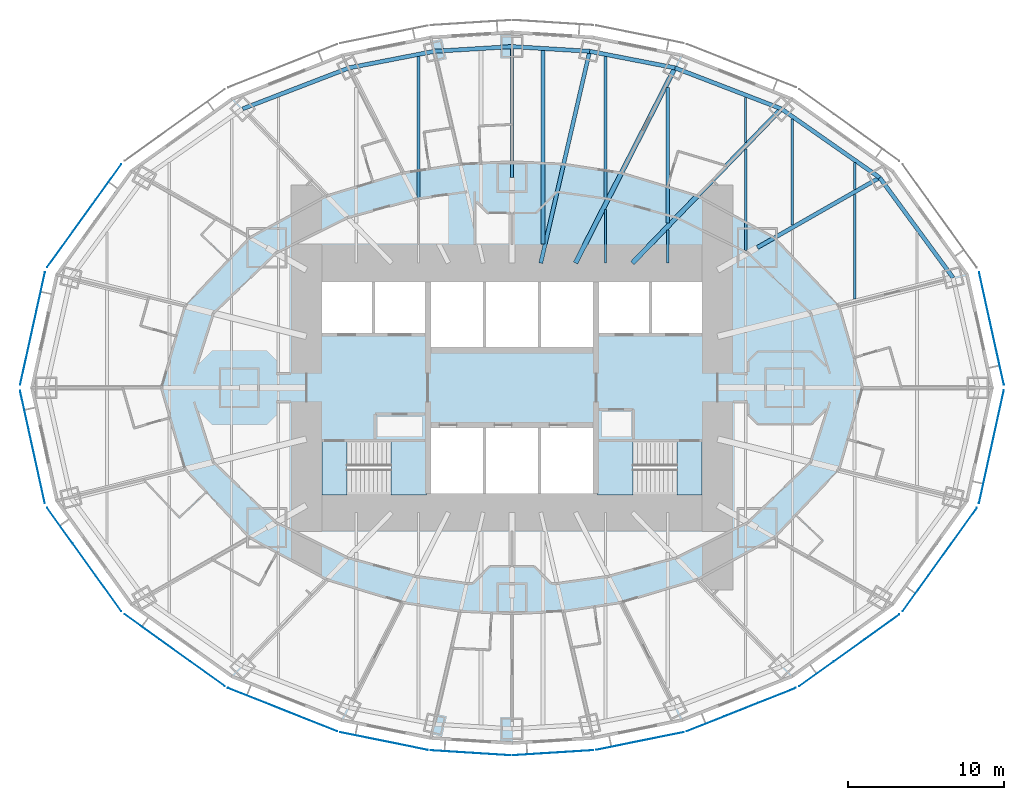
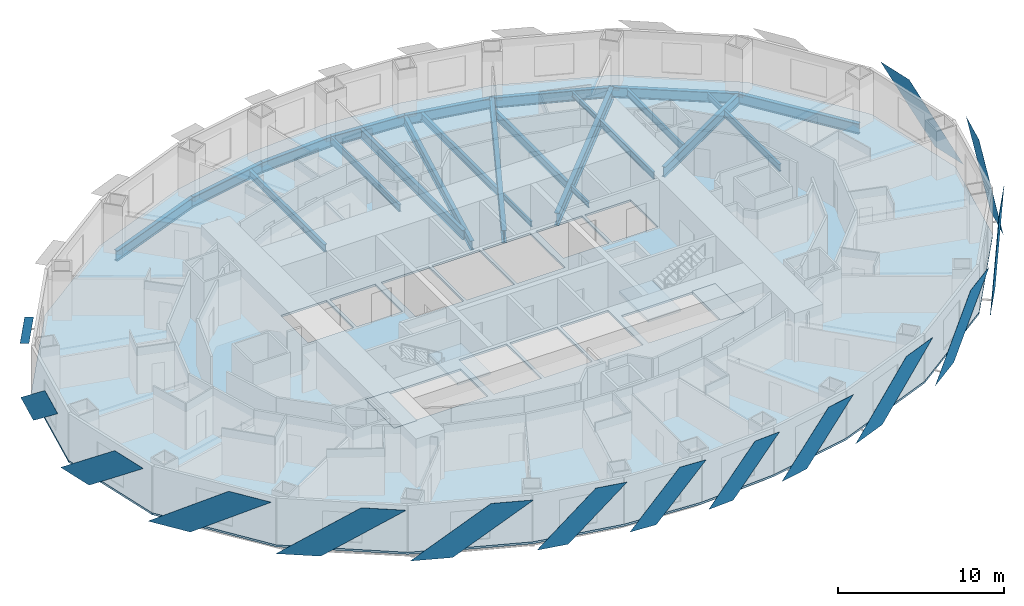
# One storey, part 3 of 15: 24 beams, 15 plates, 5 slabs, 2 elements without a shape of their own.
"""IFC4 building model written with IfcOpenShell, lengths in metres."""

from ifc_helpers import new_model, si_unit, direction, frame, origin, origin_2d, place, context, subcontext, project, spatial, polyline, i_section, outline, extrude, material, layer, layer_set, material_profile, profile_set, type_object, element, aggregate, save


model = new_model("IFC4")

# Units and contexts
model_context = context("Model", 3, precision=1e-05, world=origin(), true_north=direction((0.0, 1.0)))
body_context = subcontext(model_context, "Body", "Model", "MODEL_VIEW")
ifc_project = project(units=[si_unit("LENGTHUNIT", "METRE"), si_unit("AREAUNIT", "SQUARE_METRE"), si_unit("VOLUMEUNIT", "CUBIC_METRE"), si_unit("PLANEANGLEUNIT", "RADIAN"), si_unit("MASSUNIT", "GRAM", prefix="KILO")], contexts=[model_context])

# Site, building, storey
site_placement = place(None, origin())
site = spatial("IfcSite", under=ifc_project, at=site_placement, CompositionType="ELEMENT")
building_placement = place(site_placement, origin())
building = spatial("IfcBuilding", under=site, at=building_placement, Name="Lantaw Convention Tower", CompositionType="ELEMENT")
storey_placement = place(building_placement, frame((0.0, 0.0, 44.199951171875)))
storey = spatial("IfcBuildingStorey", under=building, at=storey_placement, Name="L08", CompositionType="ELEMENT", Elevation=44.199951171875)

# Beams
ifc_material_1 = material(Name="Steel ASTM A992", Category="steel")
ifc_material_profile_1 = material_profile(ifc_material_1, i_section(OverallWidth=0.2666015625, OverallDepth=0.76953125, WebThickness=0.015625, FlangeThickness=0.025390625, FilletRadius=0.0126953125, at=origin_2d()), Name="W30X132")
ifc_profile_set_1 = profile_set([ifc_material_profile_1], Name="Steel ASTM A992")
beam_type_1 = type_object("IfcBeamType", Name="Beam E W30X132", PredefinedType="SPANDREL", material=ifc_profile_set_1)
beam_1_placement = place(storey_placement, frame((28.31787109375, 7.060302734375, -0.53466796875), z_axis=(-0.591270709086, 0.806473154281, 0.0), x_axis=(-0.806473154281, -0.591270709086, 0.0)))
element("IfcBeam", 1, at=beam_1_placement, inside=storey, type_object=beam_type_1, Name="Edge beam 2", PredefinedType="SPANDREL", context=body_context, shape_type="SweptSolid", body=[
    extrude(i_section(OverallWidth=0.2666015625, OverallDepth=0.76953125, WebThickness=0.015625, FlangeThickness=0.025390625, FilletRadius=0.0126953125, at=origin_2d()), origin(), (0.0, 0.0, 1.0), 7.970703125),
])
beam_2_placement = place(storey_placement, frame((23.60498046875, 13.488525390625, -0.53466796875), z_axis=(-0.81942686407, 0.57318375277, 0.0), x_axis=(-0.57318375277, -0.81942686407, 0.0)))
element("IfcBeam", 2, at=beam_2_placement, inside=storey, type_object=beam_type_1, Name="Edge beam 3", PredefinedType="SPANDREL", context=body_context, shape_type="SweptSolid", body=[
    extrude(i_section(OverallWidth=0.2666015625, OverallDepth=0.76953125, WebThickness=0.015625, FlangeThickness=0.025390625, FilletRadius=0.0126953125, at=origin_2d()), origin(), (0.0, 0.0, 1.0), 7.70556640625),
])
beam_3_placement = place(storey_placement, frame((17.290771484375, 17.9052734375, -0.53466796875), z_axis=(-0.933232900641, 0.359271976588, 0.0), x_axis=(-0.359271976588, -0.933232900641, 0.0)))
element("IfcBeam", 3, at=beam_3_placement, inside=storey, type_object=beam_type_1, Name="Edge beam 4", PredefinedType="SPANDREL", context=body_context, shape_type="SweptSolid", body=[
    extrude(i_section(OverallWidth=0.2666015625, OverallDepth=0.76953125, WebThickness=0.015625, FlangeThickness=0.025390625, FilletRadius=0.0126953125, at=origin_2d()), origin(), (0.0, 0.0, 1.0), 7.316650390625),
])
beam_4_placement = place(storey_placement, frame((10.462646484375, 20.533935546875, -0.53466796875), z_axis=(-0.981636565323, 0.190760723474, 0.0), x_axis=(-0.190760723474, -0.981636565323, 0.0)))
element("IfcBeam", 4, at=beam_4_placement, inside=storey, type_object=beam_type_1, Name="Edge beam 5", PredefinedType="SPANDREL", context=body_context, shape_type="SweptSolid", body=[
    extrude(i_section(OverallWidth=0.2666015625, OverallDepth=0.76953125, WebThickness=0.015625, FlangeThickness=0.025390625, FilletRadius=0.0126953125, at=origin_2d()), origin(), (0.0, 0.0, 1.0), 5.578857421875),
])
for number, where, z_axis, x_axis, name in (
    (5, (4.986328125, 21.59814453125, -0.53466796875), (-0.998173858406, 0.060406526096, 0.0), (-0.060406526096, -0.998173858406, 0.0), "Edge beam 6"),
    (6, (0.0, 21.89990234375, -0.53466796875), (-0.998173858406, -0.060406526096, 0.0), (0.060406526096, -0.998173858406, 0.0), "Edge beam 7"),
):
    element("IfcBeam", number, at=place(storey_placement, frame(where, z_axis=z_axis, x_axis=x_axis)), inside=storey, type_object=beam_type_1, Name=name, PredefinedType="SPANDREL", context=body_context, shape_type="SweptSolid", body=[
        extrude(i_section(OverallWidth=0.2666015625, OverallDepth=0.76953125, WebThickness=0.015625, FlangeThickness=0.025390625, FilletRadius=0.0126953125, at=origin_2d()), origin(), (0.0, 0.0, 1.0), 4.995361328125),
    ])
beam_5_placement = place(storey_placement, frame((-4.986328125, 21.59814453125, -0.53466796875), z_axis=(-0.981636565323, -0.190760723474, 0.0), x_axis=(0.190760723474, -0.981636565323, 0.0)))
element("IfcBeam", 7, at=beam_5_placement, inside=storey, type_object=beam_type_1, Name="Edge beam 8", PredefinedType="SPANDREL", context=body_context, shape_type="SweptSolid", body=[
    extrude(i_section(OverallWidth=0.2666015625, OverallDepth=0.76953125, WebThickness=0.015625, FlangeThickness=0.025390625, FilletRadius=0.0126953125, at=origin_2d()), origin(), (0.0, 0.0, 1.0), 5.578857421875),
])
beam_6_placement = place(storey_placement, frame((-10.462646484375, 20.533935546875, -0.53466796875), z_axis=(-0.933232900641, -0.359271976588, 0.0), x_axis=(0.359271976588, -0.933232900641, 0.0)))
element("IfcBeam", 8, at=beam_6_placement, inside=storey, type_object=beam_type_1, Name="Edge beam 9", PredefinedType="SPANDREL", context=body_context, shape_type="SweptSolid", body=[
    extrude(i_section(OverallWidth=0.2666015625, OverallDepth=0.76953125, WebThickness=0.015625, FlangeThickness=0.025390625, FilletRadius=0.0126953125, at=origin_2d()), origin(), (0.0, 0.0, 1.0), 7.316650390625),
])
ifc_material_profile_2 = material_profile(ifc_material_1, i_section(OverallWidth=0.1650390625, OverallDepth=0.52587890625, WebThickness=0.0087890625, FlangeThickness=0.011474609375, FilletRadius=0.0126953125, at=origin_2d()), Name="W21X44")
ifc_profile_set_2 = profile_set([ifc_material_profile_2], Name="Steel ASTM A992")
beam_type_2 = type_object("IfcBeamType", Name="Beam G W21X44", PredefinedType="BEAM", material=ifc_profile_set_2)
beam_7_placement = place(storey_placement, frame((0.0, 13.5, -0.412841796875), z_axis=(0.0, 1.0, 0.0), x_axis=(-1.0, 0.0, 0.0)))
element("IfcBeam", 9, at=beam_7_placement, inside=storey, type_object=beam_type_2, Name="Floor girder on ray 7", PredefinedType="BEAM", context=body_context, shape_type="SweptSolid", body=[
    extrude(i_section(OverallWidth=0.1650390625, OverallDepth=0.52587890625, WebThickness=0.0087890625, FlangeThickness=0.011474609375, FilletRadius=0.0126953125, at=origin_2d()), origin(), (0.0, 0.0, 1.0), 8.39990234375),
])
ifc_material_profile_3 = material_profile(ifc_material_1, i_section(OverallWidth=0.25390625, OverallDepth=0.683349609375, WebThickness=0.012451171875, FlangeThickness=0.01904296875, FilletRadius=0.01513671875, at=origin_2d()), Name="W27X94")
ifc_profile_set_3 = profile_set([ifc_material_profile_3], Name="Steel ASTM A992")
beam_type_3 = type_object("IfcBeamType", Name="Beam G W27X94", PredefinedType="BEAM", material=ifc_profile_set_3)
beam_8_placement = place(storey_placement, frame((1.846923828125, 8.0, -0.49169921875), z_axis=(0.224952773175, 0.97436966796, 0.0), x_axis=(-0.97436966796, 0.224952773175, 0.0)))
element("IfcBeam", 10, at=beam_8_placement, inside=storey, type_object=beam_type_3, Name="Floor girder on ray 6", PredefinedType="BEAM", context=body_context, shape_type="SweptSolid", body=[
    extrude(i_section(OverallWidth=0.25390625, OverallDepth=0.683349609375, WebThickness=0.012451171875, FlangeThickness=0.01904296875, FilletRadius=0.01513671875, at=origin_2d()), origin(), (0.0, 0.0, 1.0), 13.955810546875),
])
ifc_material_profile_4 = material_profile(ifc_material_1, i_section(OverallWidth=0.2666015625, OverallDepth=0.7568359375, WebThickness=0.013916015625, FlangeThickness=0.019287109375, FilletRadius=0.0126953125, at=origin_2d()), Name="W30X108")
ifc_profile_set_4 = profile_set([ifc_material_profile_4], Name="Steel ASTM A992")
beam_type_4 = type_object("IfcBeamType", Name="Beam G W30X108", PredefinedType="BEAM", material=ifc_profile_set_4)
beam_9_placement = place(storey_placement, frame((15.75, 9.0, -0.5283203125), z_axis=(0.868244802791, 0.496136032179, 0.0), x_axis=(-0.496136032179, 0.868244802791, 0.0)))
element("IfcBeam", 11, at=beam_9_placement, inside=storey, type_object=beam_type_4, Name="Floor girder on ray 3", PredefinedType="BEAM", context=body_context, shape_type="SweptSolid", body=[
    extrude(i_section(OverallWidth=0.2666015625, OverallDepth=0.7568359375, WebThickness=0.013916015625, FlangeThickness=0.019287109375, FilletRadius=0.0126953125, at=origin_2d()), origin(), (0.0, 0.0, 1.0), 9.046875),
])
ifc_material_profile_5 = material_profile(ifc_material_1, i_section(OverallWidth=0.307373046875, OverallDepth=0.922119140625, WebThickness=0.018310546875, FlangeThickness=0.030029296875, FilletRadius=0.0126953125, at=origin_2d()), Name="W36X182")
ifc_profile_set_5 = profile_set([ifc_material_profile_5], Name="Steel ASTM A992")
beam_type_5 = type_object("IfcBeamType", Name="Beam G W36X182", PredefinedType="BEAM", material=ifc_profile_set_5)
beam_10_placement = place(storey_placement, frame((7.7255859375, 8.0, -0.61083984375), z_axis=(0.694649884291, 0.719347995239, 0.0), x_axis=(-0.719347995239, 0.694649884291, 0.0)))
element("IfcBeam", 12, at=beam_10_placement, inside=storey, type_object=beam_type_5, Name="Floor girder on ray 4", PredefinedType="BEAM", context=body_context, shape_type="SweptSolid", body=[
    extrude(i_section(OverallWidth=0.307373046875, OverallDepth=0.922119140625, WebThickness=0.018310546875, FlangeThickness=0.030029296875, FilletRadius=0.0126953125, at=origin_2d()), origin(), (0.0, 0.0, 1.0), 13.769775390625),
])
beam_11_placement = place(storey_placement, frame((4.076171875, 8.0, -0.61083984375), z_axis=(0.453997016122, 0.891003203896, 0.0), x_axis=(-0.891003203896, 0.453997016122, 0.0)))
element("IfcBeam", 13, at=beam_11_placement, inside=storey, type_object=beam_type_5, Name="Floor girder on ray 5", PredefinedType="BEAM", context=body_context, shape_type="SweptSolid", body=[
    extrude(i_section(OverallWidth=0.307373046875, OverallDepth=0.922119140625, WebThickness=0.018310546875, FlangeThickness=0.030029296875, FilletRadius=0.0126953125, at=origin_2d()), origin(), (0.0, 0.0, 1.0), 14.067138671875),
])
ifc_material_profile_6 = material_profile(ifc_material_1, i_section(OverallWidth=0.140380859375, OverallDepth=0.40380859375, WebThickness=0.007080078125, FlangeThickness=0.01123046875, FilletRadius=0.01025390625, at=origin_2d()), Name="W16X31")
ifc_profile_set_6 = profile_set([ifc_material_profile_6], Name="Steel ASTM A992")
beam_type_6 = type_object("IfcBeamType", Name="Beam J W16X31", PredefinedType="JOIST", material=ifc_profile_set_6)
beam_12_placement = place(storey_placement, frame((6.0, 8.0, -0.351806640625), z_axis=(0.0, 1.0, 0.0), x_axis=(-1.0, 0.0, 0.0)))
element("IfcBeam", 14, at=beam_12_placement, inside=storey, type_object=beam_type_6, Name="Floor joist", PredefinedType="JOIST", context=body_context, shape_type="SweptSolid", body=[
    extrude(i_section(OverallWidth=0.140380859375, OverallDepth=0.40380859375, WebThickness=0.007080078125, FlangeThickness=0.01123046875, FilletRadius=0.01025390625, at=origin_2d()), origin(), (0.0, 0.0, 1.0), 3.437255859375),
])
beam_13_placement = place(storey_placement, frame((10.0, 8.0, -0.351806640625), z_axis=(0.0, 1.0, 0.0), x_axis=(-1.0, 0.0, 0.0)))
element("IfcBeam", 15, at=beam_13_placement, inside=storey, type_object=beam_type_6, Name="Floor joist", PredefinedType="JOIST", context=body_context, shape_type="SweptSolid", body=[
    extrude(i_section(OverallWidth=0.140380859375, OverallDepth=0.40380859375, WebThickness=0.007080078125, FlangeThickness=0.01123046875, FilletRadius=0.01025390625, at=origin_2d()), origin(), (0.0, 0.0, 1.0), 2.134033203125),
])
beam_14_placement = place(storey_placement, frame((15.0, 15.754150390625, -0.351806640625), z_axis=(0.0, 1.0, 0.0), x_axis=(-1.0, 0.0, 0.0)))
element("IfcBeam", 16, at=beam_14_placement, inside=storey, type_object=beam_type_6, Name="Floor joist", PredefinedType="JOIST", context=body_context, shape_type="SweptSolid", body=[
    extrude(i_section(OverallWidth=0.140380859375, OverallDepth=0.40380859375, WebThickness=0.007080078125, FlangeThickness=0.01123046875, FilletRadius=0.01025390625, at=origin_2d()), origin(), (0.0, 0.0, 1.0), 2.89013671875),
])
beam_15_placement = place(storey_placement, frame((22.0, 12.72509765625, -0.351806640625), z_axis=(0.0, 1.0, 0.0), x_axis=(-1.0, 0.0, 0.0)))
element("IfcBeam", 17, at=beam_15_placement, inside=storey, type_object=beam_type_6, Name="Floor joist", PredefinedType="JOIST", context=body_context, shape_type="SweptSolid", body=[
    extrude(i_section(OverallWidth=0.140380859375, OverallDepth=0.40380859375, WebThickness=0.007080078125, FlangeThickness=0.01123046875, FilletRadius=0.01025390625, at=origin_2d()), origin(), (0.0, 0.0, 1.0), 1.723388671875),
])
ifc_material_profile_7 = material_profile(ifc_material_1, i_section(OverallWidth=0.1650390625, OverallDepth=0.52587890625, WebThickness=0.0087890625, FlangeThickness=0.011474609375, FilletRadius=0.0126953125, at=origin_2d()), Name="W21X44")
ifc_profile_set_7 = profile_set([ifc_material_profile_7], Name="Steel ASTM A992")
beam_type_7 = type_object("IfcBeamType", Name="Beam J W21X44", PredefinedType="JOIST", material=ifc_profile_set_7)
beam_16_placement = place(storey_placement, frame((15.0, 8.803955078125, -0.412841796875), z_axis=(0.0, 1.0, 0.0), x_axis=(-1.0, 0.0, 0.0)))
element("IfcBeam", 18, at=beam_16_placement, inside=storey, type_object=beam_type_7, Name="Floor joist", PredefinedType="JOIST", context=body_context, shape_type="SweptSolid", body=[
    extrude(i_section(OverallWidth=0.1650390625, OverallDepth=0.52587890625, WebThickness=0.0087890625, FlangeThickness=0.011474609375, FilletRadius=0.0126953125, at=origin_2d()), origin(), (0.0, 0.0, 1.0), 6.5078125),
])
beam_17_placement = place(storey_placement, frame((18.0, 10.439208984375, -0.412841796875), z_axis=(0.0, 1.0, 0.0), x_axis=(-1.0, 0.0, 0.0)))
element("IfcBeam", 19, at=beam_17_placement, inside=storey, type_object=beam_type_7, Name="Floor joist", PredefinedType="JOIST", context=body_context, shape_type="SweptSolid", body=[
    extrude(i_section(OverallWidth=0.1650390625, OverallDepth=0.52587890625, WebThickness=0.0087890625, FlangeThickness=0.011474609375, FilletRadius=0.0126953125, at=origin_2d()), origin(), (0.0, 0.0, 1.0), 6.80712890625),
])
beam_18_placement = place(storey_placement, frame((22.0, 5.693359375, -0.412841796875), z_axis=(0.0, 1.0, 0.0), x_axis=(-1.0, 0.0, 0.0)))
element("IfcBeam", 20, at=beam_18_placement, inside=storey, type_object=beam_type_7, Name="Floor joist", PredefinedType="JOIST", context=body_context, shape_type="SweptSolid", body=[
    extrude(i_section(OverallWidth=0.1650390625, OverallDepth=0.52587890625, WebThickness=0.0087890625, FlangeThickness=0.011474609375, FilletRadius=0.0126953125, at=origin_2d()), origin(), (0.0, 0.0, 1.0), 6.724609375),
])
ifc_material_profile_8 = material_profile(ifc_material_1, i_section(OverallWidth=0.2099609375, OverallDepth=0.535888671875, WebThickness=0.010986328125, FlangeThickness=0.017333984375, FilletRadius=0.012939453125, at=origin_2d()), Name="W21X68")
ifc_profile_set_8 = profile_set([ifc_material_profile_8], Name="Steel ASTM A992")
beam_type_8 = type_object("IfcBeamType", Name="Beam J W21X68", PredefinedType="JOIST", material=ifc_profile_set_8)
for number, where, z_axis, x_axis, name in (
    (21, (-6.0, 12.1142578125, -0.41796875), (0.0, 1.0, 0.0), (-1.0, 0.0, 0.0), "Floor joist"),
    (22, (6.0, 12.1142578125, -0.41796875), (0.0, 1.0, 0.0), (-1.0, 0.0, 0.0), "Floor joist"),
):
    element("IfcBeam", number, at=place(storey_placement, frame(where, z_axis=z_axis, x_axis=x_axis)), inside=storey, type_object=beam_type_8, Name=name, PredefinedType="JOIST", context=body_context, shape_type="SweptSolid", body=[
        extrude(i_section(OverallWidth=0.2099609375, OverallDepth=0.535888671875, WebThickness=0.010986328125, FlangeThickness=0.017333984375, FilletRadius=0.012939453125, at=origin_2d()), origin(), (0.0, 0.0, 1.0), 9.15087890625),
    ])
ifc_material_profile_9 = material_profile(ifc_material_1, i_section(OverallWidth=0.227783203125, OverallDepth=0.60205078125, WebThickness=0.010498046875, FlangeThickness=0.014892578125, FilletRadius=0.012939453125, at=origin_2d()), Name="W24X68")
ifc_profile_set_9 = profile_set([ifc_material_profile_9], Name="Steel ASTM A992")
beam_type_9 = type_object("IfcBeamType", Name="Beam J W24X68", PredefinedType="JOIST", material=ifc_profile_set_9)
beam_19_placement = place(storey_placement, frame((10.0, 10.576416015625, -0.450927734375), z_axis=(0.0, 1.0, 0.0), x_axis=(-1.0, 0.0, 0.0)))
element("IfcBeam", 23, at=beam_19_placement, inside=storey, type_object=beam_type_9, Name="Floor joist", PredefinedType="JOIST", context=body_context, shape_type="SweptSolid", body=[
    extrude(i_section(OverallWidth=0.227783203125, OverallDepth=0.60205078125, WebThickness=0.010498046875, FlangeThickness=0.014892578125, FilletRadius=0.012939453125, at=origin_2d()), origin(), (0.0, 0.0, 1.0), 8.711181640625),
])
ifc_material_profile_10 = material_profile(ifc_material_1, i_section(OverallWidth=0.25390625, OverallDepth=0.700927734375, WebThickness=0.015380859375, FlangeThickness=0.02783203125, FilletRadius=0.01513671875, at=origin_2d()), Name="W27X129")
ifc_profile_set_10 = profile_set([ifc_material_profile_10], Name="Steel ASTM A992")
beam_type_10 = type_object("IfcBeamType", Name="Beam J W27X129", PredefinedType="JOIST", material=ifc_profile_set_10)
beam_20_placement = place(storey_placement, frame((2.0, 9.2275390625, -0.50048828125), z_axis=(0.0, 1.0, 0.0), x_axis=(-1.0, 0.0, 0.0)))
element("IfcBeam", 24, at=beam_20_placement, inside=storey, type_object=beam_type_10, Name="Floor joist", PredefinedType="JOIST", context=body_context, shape_type="SweptSolid", body=[
    extrude(i_section(OverallWidth=0.25390625, OverallDepth=0.700927734375, WebThickness=0.015380859375, FlangeThickness=0.02783203125, FilletRadius=0.01513671875, at=origin_2d()), origin(), (0.0, 0.0, 1.0), 12.417724609375),
])

# Slab
ifc_material_2 = material(Name="Concrete C35/45", Category="concrete")
ifc_layer_1 = layer(ifc_material_2, 0.14990234375)
ifc_layer_set_1 = layer_set([ifc_layer_1], Name="Floor slab 150")
slab_type_1 = type_object("IfcSlabType", Name="Floor slab 150", PredefinedType="FLOOR", material=ifc_layer_set_1)
slab_1_placement = place(storey_placement, frame((0.0, 0.0, -0.14990234375)))
element("IfcSlab", 25, at=slab_1_placement, inside=storey, type_object=slab_type_1, Name="L08 floor slab", PredefinedType="FLOOR", context=body_context, shape_type="SweptSolid", body=[
    extrude(outline(polyline([(29.315185546875, -7.29541015625), (30.923095703125, 0.0), (29.315185546875, 7.29541015625), (24.50634765625, 13.98046875), (18.018798828125, 18.630126953125), (10.9404296875, 21.44189453125), (5.223876953125, 22.59521484375), (0.0, 22.9248046875), (-5.223876953125, 22.59521484375), (-10.9404296875, 21.44189453125), (-18.018798828125, 18.630126953125), (-24.50634765625, 13.98046875), (-29.315185546875, 7.29541015625), (-30.923095703125, 0.0), (-29.315185546875, -7.29541015625), (-24.50634765625, -13.98046875), (-18.018798828125, -18.630126953125), (-10.9404296875, -21.44189453125), (-5.223876953125, -22.59521484375), (0.0, -22.9248046875), (5.223876953125, -22.59521484375), (10.9404296875, -21.44189453125), (18.018798828125, -18.630126953125), (24.50634765625, -13.98046875), (29.315185546875, -7.29541015625)]), holes=[polyline([(-5.60009765625, -3.5), (-12.199951171875, -3.5), (-12.199951171875, -6.800048828125), (-5.60009765625, -6.800048828125), (-5.60009765625, -3.5)]), polyline([(-1.86669921875, -6.800048828125), (-1.86669921875, -2.60009765625), (-5.199951171875, -2.60009765625), (-5.199951171875, -6.800048828125), (-1.86669921875, -6.800048828125)]), polyline([(-1.86669921875, 2.60009765625), (-1.86669921875, 6.800048828125), (-5.199951171875, 6.800048828125), (-5.199951171875, 2.60009765625), (-1.86669921875, 2.60009765625)]), polyline([(1.666748046875, 6.800048828125), (-1.666748046875, 6.800048828125), (-1.666748046875, 2.60009765625), (1.666748046875, 2.60009765625), (1.666748046875, 6.800048828125)]), polyline([(-9.0, 3.5), (-9.0, 6.800048828125), (-12.199951171875, 6.800048828125), (-12.199951171875, 3.5), (-9.0, 3.5)]), polyline([(-5.60009765625, 3.5), (-5.60009765625, 6.800048828125), (-8.800048828125, 6.800048828125), (-8.800048828125, 3.5), (-5.60009765625, 3.5)]), polyline([(12.199951171875, -3.5), (5.60009765625, -3.5), (5.60009765625, -6.800048828125), (12.199951171875, -6.800048828125), (12.199951171875, -3.5)]), polyline([(1.666748046875, -6.800048828125), (1.666748046875, -2.60009765625), (-1.666748046875, -2.60009765625), (-1.666748046875, -6.800048828125), (1.666748046875, -6.800048828125)]), polyline([(5.199951171875, -6.800048828125), (5.199951171875, -2.60009765625), (1.86669921875, -2.60009765625), (1.86669921875, -6.800048828125), (5.199951171875, -6.800048828125)]), polyline([(5.199951171875, 6.800048828125), (1.86669921875, 6.800048828125), (1.86669921875, 2.60009765625), (5.199951171875, 2.60009765625), (5.199951171875, 6.800048828125)]), polyline([(8.800048828125, 3.5), (8.800048828125, 6.800048828125), (5.60009765625, 6.800048828125), (5.60009765625, 3.5), (8.800048828125, 3.5)]), polyline([(12.199951171875, 3.5), (12.199951171875, 6.800048828125), (9.0, 6.800048828125), (9.0, 3.5), (12.199951171875, 3.5)])]), origin(), (0.0, 0.0, 1.0), 0.14990234375),
])

# Plates
ifc_material_3 = material(Name="Perforated aluminium sheet, pale silver finish", Category="aluminium")
ifc_layer_2 = layer(ifc_material_3, 0.006103515625)
ifc_layer_set_2 = layer_set([ifc_layer_2], Name="Perforated aluminium solar SCREEN panel")
plate_type = type_object("IfcPlateType", Name="Perforated aluminium solar SCREEN panel", PredefinedType="SHEET", material=ifc_layer_set_2)
plate_1_placement = place(storey_placement, frame((31.5810546875, 0.17919921875, -0.175048828125), z_axis=(-0.97655943558, -0.215247921852, 3.0295023e-05), x_axis=(-0.215247921951, 0.976559436028, 3.12e-10)))
element("IfcPlate", 26, at=plate_1_placement, inside=storey, type_object=plate_type, Name="Solar SCREEN panel", PredefinedType="SHEET", context=body_context, shape_type="SweptSolid", body=[
    extrude(outline(polyline([(0.0, 0.0), (2.551002212329069, 3.3881317890172014e-21), (7.402498252985418, -3.739990233781388), (4.851734458487411, -3.7399902353733405), (0.0, 0.0)])), origin(), (0.0, 0.0, -1.0), 0.006103515625),
])
plate_2_placement = place(storey_placement, frame((-25.0810546875, 14.34765625, -0.175048828125), z_axis=(0.811791382613, -0.583947558463, 9.019268e-06), x_axis=(-0.583947558486, -0.811791382646, 0.0)))
element("IfcPlate", 27, at=plate_2_placement, inside=storey, type_object=plate_type, Name="Solar SCREEN panel", PredefinedType="SHEET", context=body_context, shape_type="SweptSolid", body=[
    extrude(outline(polyline([(0.0, 0.0), (2.809541672291133, 0.0), (8.163093158837512, -3.739990234527119), (5.353551486546379, -3.739990234527119), (0.0, 0.0)])), origin(), (0.0, 0.0, -1.0), 0.006103515625),
])
plate_3_placement = place(storey_placement, frame((-29.98779296875, 7.408203125, -0.175048828125), z_axis=(-0.97655943558, 0.215247921852, 3.0295023e-05), x_axis=(-0.215247921951, -0.976559436028, -3.12e-10)))
element("IfcPlate", 28, at=plate_3_placement, inside=storey, type_object=plate_type, Name="Solar SCREEN panel", PredefinedType="SHEET", context=body_context, shape_type="SweptSolid", body=[
    extrude(outline(polyline([(0.0, 0.0), (2.5507637944980077, 6.776263578034403e-21), (7.402498250651261, 3.7399902384013473), (4.851496038322192, 3.739990236809246), (0.0, 0.0)])), origin(), (0.0, 0.0, -1.0), 0.006103515625),
])
plate_4_placement = place(storey_placement, frame((-31.5810546875, -0.17919921875, -0.175048828125), z_axis=(0.97655943558, 0.215247921852, 3.0295023e-05), x_axis=(0.215247921951, -0.976559436028, 3.12e-10)))
element("IfcPlate", 29, at=plate_4_placement, inside=storey, type_object=plate_type, Name="Solar SCREEN panel", PredefinedType="SHEET", context=body_context, shape_type="SweptSolid", body=[
    extrude(outline(polyline([(0.0, 0.0), (2.551002212329069, 3.3881317890172014e-21), (7.402498252985418, -3.739990233781388), (4.851734458487411, -3.7399902353733405), (0.0, 0.0)])), origin(), (0.0, 0.0, -1.0), 0.006103515625),
])
plate_5_placement = place(storey_placement, frame((-29.847900390625, -7.720947265625, -0.175048828125), z_axis=(-0.811791382613, -0.583947558463, 9.019268e-06), x_axis=(0.583947558486, -0.811791382646, 0.0)))
element("IfcPlate", 30, at=plate_5_placement, inside=storey, type_object=plate_type, Name="Solar SCREEN panel", PredefinedType="SHEET", context=body_context, shape_type="SweptSolid", body=[
    extrude(outline(polyline([(0.0, 0.0), (2.809541672291133, 0.0), (8.163093158837512, 3.739990234527119), (5.353551486546379, 3.739990234527119), (0.0, 0.0)])), origin(), (0.0, 0.0, -1.0), 0.006103515625),
])
plate_6_placement = place(storey_placement, frame((-24.872314453125, -14.555908203125, -0.175048828125), z_axis=(-0.582561421998, -0.812786681331, 1.5819417e-05), x_axis=(0.812786681433, -0.582561422071, 0.0)))
element("IfcPlate", 31, at=plate_6_placement, inside=storey, type_object=plate_type, Name="Solar SCREEN panel", PredefinedType="SHEET", context=body_context, shape_type="SweptSolid", body=[
    extrude(outline(polyline([(0.0, 0.0), (2.721095180812288, 3.3881317890172014e-21), (7.903118572410756, 3.739990234842974), (5.182023391598468, 3.739990234842974), (0.0, 0.0)])), origin(), (0.0, 0.0, -1.0), 0.006103515625),
])
plate_7_placement = place(storey_placement, frame((-18.232177734375, -19.278076171875, -0.175048828125), z_axis=(0.369183532846, 0.929356508016, 9.163296e-06), x_axis=(0.929356508055, -0.369183532862, 0.0)))
element("IfcPlate", 32, at=plate_7_placement, inside=storey, type_object=plate_type, Name="Solar SCREEN panel", PredefinedType="SHEET", context=body_context, shape_type="SweptSolid", body=[
    extrude(outline(polyline([(0.0, 0.0), (2.594936467166582, -1.6940658945086007e-21), (7.5321069917580825, -3.739990234532016), (4.937170524591499, -3.739990234532016), (0.0, 0.0)])), origin(), (0.0, 0.0, -1.0), 0.006103515625),
])
plate_8_placement = place(storey_placement, frame((-11.03271484375, -22.117919921875, -0.175048828125), z_axis=(0.197781876197, 0.980246055561, 2.418535e-06), x_axis=(0.980246055563, -0.197781876198, 1.46e-10)))
element("IfcPlate", 33, at=plate_8_placement, inside=storey, type_object=plate_type, Name="Solar SCREEN panel", PredefinedType="SHEET", context=body_context, shape_type="SweptSolid", body=[
    extrude(outline(polyline([(0.0, 0.0), (1.9867801772236329, -3.1763735522036263e-22), (5.743587245978565, -3.7399902335493134), (3.7568553553458006, -3.739990234128105), (0.0, 0.0)])), origin(), (0.0, 0.0, -1.0), 0.006103515625),
])
plate_9_placement = place(storey_placement, frame((-5.221923828125, -23.27783203125, -0.175048828125), z_axis=(0.062923905251, 0.998018327468, 1.3605496e-05), x_axis=(0.998018327561, -0.062923905257, 9.3e-10)))
element("IfcPlate", 34, at=plate_9_placement, inside=storey, type_object=plate_type, Name="Solar SCREEN panel", PredefinedType="SHEET", context=body_context, shape_type="SweptSolid", body=[
    extrude(outline(polyline([(0.0, 0.0), (1.7828375409377817, -2.117582368135751e-22), (5.143985963027618, -3.739990229938699), (3.3611637843713935, -3.7399902332537565), (0.0, 0.0)])), origin(), (0.0, 0.0, -1.0), 0.006103515625),
])
plate_10_placement = place(storey_placement, frame((0.088134765625, -23.6015625, -0.175048828125), z_axis=(0.062923905251, -0.998018327468, 1.3605496e-05), x_axis=(0.998018327561, 0.062923905257, -9.3e-10)))
element("IfcPlate", 35, at=plate_10_placement, inside=storey, type_object=plate_type, Name="Solar SCREEN panel", PredefinedType="SHEET", context=body_context, shape_type="SweptSolid", body=[
    extrude(outline(polyline([(0.0, 0.0), (1.782822178656225, -2.117582368135751e-22), (5.143985956073316, 3.7399902395036517), (3.3611484151355353, 3.7399902361885653), (0.0, 0.0)])), origin(), (0.0, 0.0, -1.0), 0.006103515625),
])
plate_11_placement = place(storey_placement, frame((5.402587890625, -23.25390625, -0.175048828125), z_axis=(0.197781876197, -0.980246055561, 2.418535e-06), x_axis=(0.980246055563, 0.197781876198, -1.46e-10)))
element("IfcPlate", 36, at=plate_11_placement, inside=storey, type_object=plate_type, Name="Solar SCREEN panel", PredefinedType="SHEET", context=body_context, shape_type="SweptSolid", body=[
    extrude(outline(polyline([(0.0, 0.0), (1.9867318906327642, 1.0587911840678754e-22), (5.743587244888999, 3.7399902352225842), (3.7568070676653664, 3.7399902346437783), (0.0, 0.0)])), origin(), (0.0, 0.0, -1.0), 0.006103515625),
])
plate_12_placement = place(storey_placement, frame((11.232177734375, -22.058837890625, -0.175048828125), z_axis=(0.369183532846, -0.929356508016, 9.163296e-06), x_axis=(0.929356508055, 0.369183532862, 0.0)))
element("IfcPlate", 37, at=plate_12_placement, inside=storey, type_object=plate_type, Name="Solar SCREEN panel", PredefinedType="SHEET", context=body_context, shape_type="SweptSolid", body=[
    extrude(outline(polyline([(0.0, 0.0), (2.594936467166582, 1.6940658945086007e-21), (7.5321069917580825, 3.739990234532016), (4.937170524591499, 3.739990234532016), (0.0, 0.0)])), origin(), (0.0, 0.0, -1.0), 0.006103515625),
])
plate_13_placement = place(storey_placement, frame((18.44873046875, -19.159912109375, -0.175048828125), z_axis=(-0.582561421998, 0.812786681331, 1.5819417e-05), x_axis=(0.812786681433, 0.582561422071, 0.0)))
element("IfcPlate", 38, at=plate_13_placement, inside=storey, type_object=plate_type, Name="Solar SCREEN panel", PredefinedType="SHEET", context=body_context, shape_type="SweptSolid", body=[
    extrude(outline(polyline([(0.0, 0.0), (2.721095180812288, -3.3881317890172014e-21), (7.903118572410756, -3.739990234842974), (5.182023391598468, -3.739990234842974), (0.0, 0.0)])), origin(), (0.0, 0.0, -1.0), 0.006103515625),
])
plate_14_placement = place(storey_placement, frame((25.0810546875, -14.34765625, -0.175048828125), z_axis=(-0.811791382613, 0.583947558463, 9.019268e-06), x_axis=(0.583947558486, 0.811791382646, 0.0)))
element("IfcPlate", 39, at=plate_14_placement, inside=storey, type_object=plate_type, Name="Solar SCREEN panel", PredefinedType="SHEET", context=body_context, shape_type="SweptSolid", body=[
    extrude(outline(polyline([(0.0, 0.0), (2.809541672291133, 0.0), (8.163093158837512, -3.739990234527119), (5.353551486546379, -3.739990234527119), (0.0, 0.0)])), origin(), (0.0, 0.0, -1.0), 0.006103515625),
])
plate_15_placement = place(storey_placement, frame((29.98779296875, -7.408203125, -0.175048828125), z_axis=(0.97655943558, -0.215247921852, 3.0295023e-05), x_axis=(0.215247921951, 0.976559436028, -3.12e-10)))
element("IfcPlate", 40, at=plate_15_placement, inside=storey, type_object=plate_type, Name="Solar SCREEN panel", PredefinedType="SHEET", context=body_context, shape_type="SweptSolid", body=[
    extrude(outline(polyline([(0.0, 0.0), (2.5507637944980077, 6.776263578034403e-21), (7.402498250651261, 3.7399902384013473), (4.851496038322192, 3.739990236809246), (0.0, 0.0)])), origin(), (0.0, 0.0, -1.0), 0.006103515625),
])

# Stair, slabs
stair_type = type_object("IfcStairType", Name="Exit stair 1500 riser 163.64 in 2 flights", PredefinedType="HALF_TURN_STAIR", material=ifc_material_2)
stair_1_placement = place(storey_placement, origin())
stair_1 = element("IfcStair", 41, at=stair_1_placement, inside=storey, type_object=stair_type, Name="Exit stair S1 L08", PredefinedType="HALF_TURN_STAIR")
ifc_layer_3 = layer(ifc_material_2, 0.199951171875)
ifc_layer_set_3 = layer_set([ifc_layer_3], Name="Stair landing 200")
slab_type_2 = type_object("IfcSlabType", Name="Stair landing 200", PredefinedType="LANDING", material=ifc_layer_set_3)
slab_2_placement = place(storey_placement, frame((0.0, 0.0, -0.199951171875)))
slab_2 = element("IfcSlab", 42, at=slab_2_placement, type_object=slab_type_2, Name="S1 landing 1", PredefinedType="LANDING", context=body_context, shape_type="SweptSolid", body=[
    extrude(outline(polyline([(-12.199951171875, -6.89990234375), (-10.580078125, -6.89990234375), (-10.580078125, -3.39990234375), (-12.199951171875, -3.39990234375), (-12.199951171875, -6.89990234375)])), origin(), (0.0, 0.0, 1.0), 0.199951171875),
])
slab_3_placement = place(storey_placement, frame((0.0, 0.0, 1.60009765625)))
slab_3 = element("IfcSlab", 43, at=slab_3_placement, type_object=slab_type_2, Name="S1 landing 2", PredefinedType="LANDING", context=body_context, shape_type="SweptSolid", body=[
    extrude(outline(polyline([(-7.780029296875, -6.89990234375), (-5.5, -6.89990234375), (-5.5, -3.39990234375), (-7.780029296875, -3.39990234375), (-7.780029296875, -6.89990234375)])), origin(), (0.0, 0.0, 1.0), 0.199951171875),
])
aggregate(stair_1, [slab_2, slab_3])

stair_2_placement = place(storey_placement, origin())
stair_2 = element("IfcStair", 44, at=stair_2_placement, inside=storey, type_object=stair_type, Name="Exit stair S2 L08", PredefinedType="HALF_TURN_STAIR")
slab_4_placement = place(storey_placement, frame((0.0, 0.0, -0.199951171875)))
slab_4 = element("IfcSlab", 45, at=slab_4_placement, type_object=slab_type_2, Name="S2 landing 1", PredefinedType="LANDING", context=body_context, shape_type="SweptSolid", body=[
    extrude(outline(polyline([(10.580078125, -6.89990234375), (12.199951171875, -6.89990234375), (12.199951171875, -3.39990234375), (10.580078125, -3.39990234375), (10.580078125, -6.89990234375)])), origin(), (0.0, 0.0, 1.0), 0.199951171875),
])
slab_5_placement = place(storey_placement, frame((0.0, 0.0, 1.60009765625)))
slab_5 = element("IfcSlab", 46, at=slab_5_placement, type_object=slab_type_2, Name="S2 landing 2", PredefinedType="LANDING", context=body_context, shape_type="SweptSolid", body=[
    extrude(outline(polyline([(5.5, -6.89990234375), (7.780029296875, -6.89990234375), (7.780029296875, -3.39990234375), (5.5, -3.39990234375), (5.5, -6.89990234375)])), origin(), (0.0, 0.0, 1.0), 0.199951171875),
])
aggregate(stair_2, [slab_4, slab_5])

save(model, "model.ifc")
